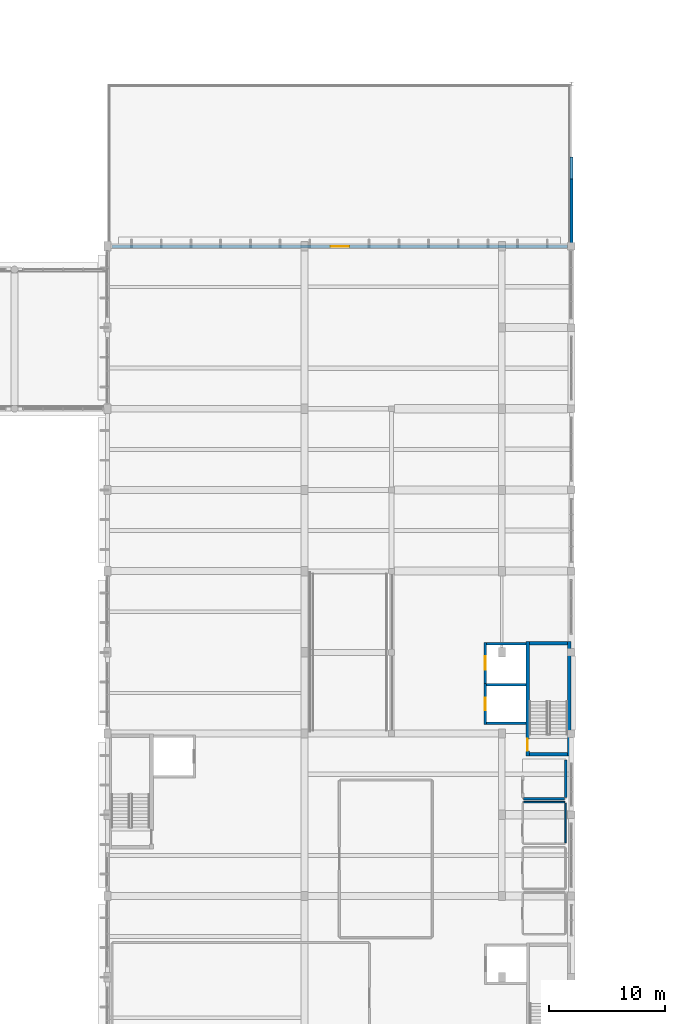
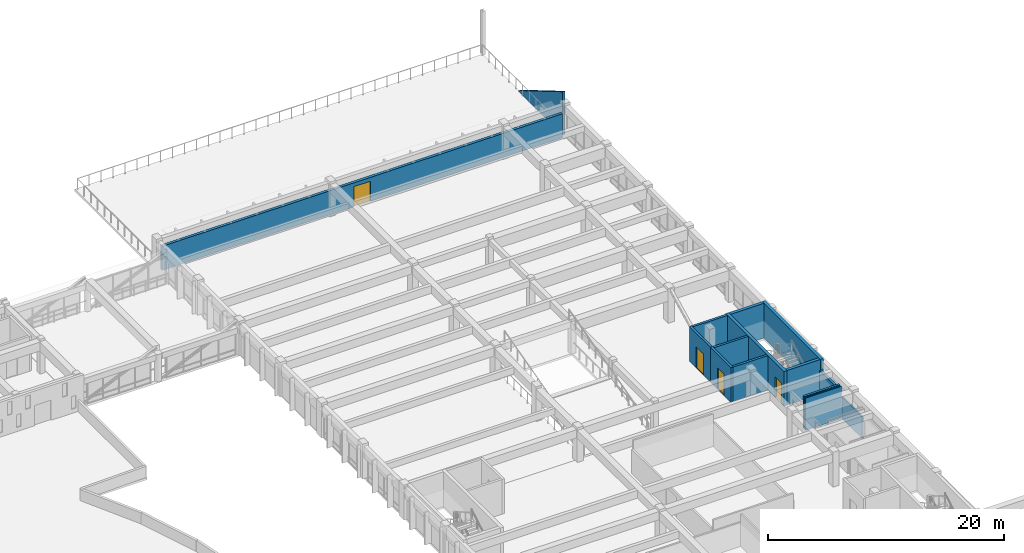
# One storey, part 61 of 77: 15 walls, 4 doors, 4 openings.
"""IFC4 building model written with IfcOpenShell, lengths in metres."""

from ifc_helpers import new_model, si_unit, direction, frame, frame_2d, origin, place, context, subcontext, project, spatial, polyline, rectangle, outline, extrude, material, layer, layer_set, type_object, element, fill, save


model = new_model("IFC4")

# Units and contexts
model_context = context("Model", 3, precision=1e-05, world=origin(), true_north=direction((0.0, 1.0)))
body_context = subcontext(model_context, "Body", "Model", "MODEL_VIEW")
ifc_project = project(units=[si_unit("LENGTHUNIT", "METRE"), si_unit("AREAUNIT", "SQUARE_METRE"), si_unit("VOLUMEUNIT", "CUBIC_METRE"), si_unit("PLANEANGLEUNIT", "RADIAN"), si_unit("MASSUNIT", "GRAM", prefix="KILO")], contexts=[model_context])

# Site, building, storey
site_placement = place(None, origin())
site = spatial("IfcSite", under=ifc_project, at=site_placement, CompositionType="ELEMENT")
building_placement = place(site_placement, origin())
building = spatial("IfcBuilding", under=site, at=building_placement, Name="Larkveld Mobility Hub", CompositionType="ELEMENT")
storey_placement = place(building_placement, frame((0.0, 0.0, 12.0)))
storey = spatial("IfcBuildingStorey", under=building, at=storey_placement, Name="L03", CompositionType="ELEMENT", Elevation=12.0)

# Wall
ifc_material_1 = material(Name="Precast concrete C50/60", Category="concrete")
ifc_layer_1 = layer(ifc_material_1, 0.239990234375, Name="Precast concrete C50/60", Category="concrete")
ifc_layer_set_1 = layer_set([ifc_layer_1], Name="Precast concrete C50/60")
wall_type_1 = type_object("IfcWallType", Name="WL-EXT-240", PredefinedType="SOLIDWALL", material=ifc_layer_set_1)
wall_1_placement = place(storey_placement, frame((152.0, 98.219970703125, 0.0), z_axis=(0.0, 0.0, 1.0), x_axis=(0.0, 1.0, 0.0)))
element("IfcWall", 1, at=wall_1_placement, inside=storey, type_object=wall_type_1, Name="Sawtooth West Gable Cheek Wall B6", PredefinedType="SOLIDWALL", context=body_context, shape_type="SweptSolid", body=[
    extrude(outline(polyline([(0.0, 0.0), (7.467041015625, 0.0), (7.467041015625, 0.080078125), (0.0, 4.47998046875), (0.0, 0.0)])), frame((0.0, 0.1201171875, 0.0), z_axis=(0.0, -1.0, 0.0), x_axis=(1.0, 0.0, 0.0)), (0.0, 0.0, 1.0), 0.239990234375),
])

# Wall, opening, door
ifc_layer_2 = layer(ifc_material_1, 0.27001953125, Name="Precast concrete C50/60", Category="concrete")
ifc_layer_set_2 = layer_set([ifc_layer_2], Name="Precast concrete C50/60")
wall_type_2 = type_object("IfcWallType", Name="WL-EXT-270", PredefinedType="SOLIDWALL", material=ifc_layer_set_2)
wall_2_placement = place(storey_placement, frame((151.6650390625, 98.0, 0.0), z_axis=(0.0, 0.0, 1.0), x_axis=(-1.0, 0.0, 0.0)))
wall_2 = element("IfcWall", 2, at=wall_2_placement, inside=storey, type_object=wall_type_2, Name="Stepped North Terrace Wall L03-0236", PredefinedType="SOLIDWALL", context=body_context, shape_type="SweptSolid", body=[
    extrude(rectangle(XDim=39.255126953125, YDim=0.27001953125, at=frame_2d((19.62744140625, 0.0))), origin(), (0.0, 0.0, 1.0), 2.4951171875),
])
opening_1_placement = place(wall_2_placement, frame((18.826904296875, 0.0, 0.0)))
opening_1 = element("IfcOpeningElement", 3, at=opening_1_placement, cuts=wall_2, Name="Opening ED07", PredefinedType="OPENING", context=body_context, shape_type="SweptSolid", body=[
    extrude(rectangle(XDim=1.60009765625, YDim=2.10009765625, at=frame_2d((0.800048828125, 1.050048828125))), frame((0.0, 0.14501953125, 0.0), z_axis=(0.0, -1.0, 0.0), x_axis=(1.0, 0.0, 0.0)), (0.0, 0.0, 1.0), 0.2900390625),
])
ifc_material_2 = material(Name="Anodised aluminium glazed terrace door", Category="aluminium")
door_type_1 = type_object("IfcDoorType", Name="DR-EXT-TER16", OperationType="DOUBLE_DOOR_SINGLE_SWING", PredefinedType="DOOR", material=ifc_material_2)
door_1_placement = place(opening_1_placement, origin())
door_1 = element("IfcDoor", 4, at=door_1_placement, inside=storey, type_object=door_type_1, Name="North Stepped Terrace Door L03 EDR-L03-026", OperationType="DOUBLE_DOOR_SINGLE_SWING", OverallHeight=2.10009765625, OverallWidth=1.60009765625, PredefinedType="DOOR", context=body_context, shape_type="SweptSolid", body=[
    extrude(rectangle(XDim=1.60009765625, YDim=2.10009765625, at=frame_2d((0.800048828125, 1.050048828125))), frame((0.0, 0.02490234375, 0.0), z_axis=(0.0, -1.0, 0.0), x_axis=(1.0, 0.0, 0.0)), (0.0, 0.0, 1.0), 0.050048828125),
])
fill(opening_1, door_1)

# Walls
ifc_material_3 = material(Name="Concrete blockwork masonry 14 MPa", Category="masonry")
ifc_layer_3 = layer(ifc_material_3, 0.1201171875, Name="Concrete blockwork masonry 14 MPa", Category="masonry")
ifc_layer_set_3 = layer_set([ifc_layer_3], Name="Concrete blockwork masonry 14 MPa")
wall_type_3 = type_object("IfcWallType", Name="WL-PRT-120", PredefinedType="PARTITIONING", material=ifc_layer_set_3)
wall_3_placement = place(storey_placement, frame((147.8798828125, 50.093994140625, 0.0), z_axis=(0.0, 0.0, 1.0), x_axis=(1.0, 0.0, 0.0)))
element("IfcWall", 5, at=wall_3_placement, inside=storey, type_object=wall_type_3, Name="Accessible Unisex Toilet Partition 0168", PredefinedType="PARTITIONING", context=body_context, shape_type="SweptSolid", body=[
    extrude(rectangle(XDim=3.5341796875, YDim=0.1201171875, at=frame_2d((1.76708984375, 0.0))), origin(), (0.0, 0.0, 1.0), 3.344970703125),
])
wall_4_placement = place(storey_placement, frame((151.493896484375, 46.580078125, 0.0), z_axis=(0.0, 0.0, 1.0), x_axis=(0.0, 1.0, 0.0)))
element("IfcWall", 6, at=wall_4_placement, inside=storey, type_object=wall_type_3, Name="Accessible Unisex Toilet Partition 0170", PredefinedType="PARTITIONING", context=body_context, shape_type="SweptSolid", body=[
    extrude(rectangle(XDim=3.433837890625, YDim=0.1201171875, at=frame_2d((1.716796875, 0.0))), origin(), (0.0, 0.0, 1.0), 2.2451171875),
])
ifc_layer_4 = layer(ifc_material_3, 0.2099609375, Name="Concrete blockwork masonry 14 MPa", Category="masonry")
ifc_layer_set_4 = layer_set([ifc_layer_4], Name="Concrete blockwork masonry 14 MPa")
wall_type_4 = type_object("IfcWallType", Name="WL-PRT-210", PredefinedType="PARTITIONING", material=ifc_layer_set_4)
wall_5_placement = place(storey_placement, frame((147.8798828125, 50.39990234375, 0.0), z_axis=(0.0, 0.0, 1.0), x_axis=(1.0, 0.0, 0.0)))
element("IfcWall", 7, at=wall_5_placement, inside=storey, type_object=wall_type_4, Name="Cleaners Store Room Partition 0171", PredefinedType="PARTITIONING", context=body_context, shape_type="SweptSolid", body=[
    extrude(rectangle(XDim=3.5341796875, YDim=0.2099609375, at=frame_2d((1.76708984375, 0.0))), origin(), (0.0, 0.0, 1.0), 3.344970703125),
])
wall_6_placement = place(storey_placement, frame((151.493896484375, 50.47998046875, 0.0), z_axis=(0.0, 0.0, 1.0), x_axis=(0.0, 1.0, 0.0)))
element("IfcWall", 8, at=wall_6_placement, inside=storey, type_object=wall_type_4, Name="Cleaners Store Room Partition 0173", PredefinedType="PARTITIONING", context=body_context, shape_type="SweptSolid", body=[
    extrude(rectangle(XDim=3.234130859375, YDim=0.2099609375, at=frame_2d((1.6171875, 0.0))), origin(), (0.0, 0.0, 1.0), 2.7548828125),
])

# Wall, opening, door
ifc_material_4 = material(Name="Concrete C40/50", Category="concrete")
ifc_layer_5 = layer(ifc_material_4, 0.219970703125, Name="Concrete C40/50", Category="concrete")
ifc_layer_set_5 = layer_set([ifc_layer_5], Name="Concrete C40/50")
wall_type_5 = type_object("IfcWallType", Name="WL-SHF-220", PredefinedType="SHEAR", material=ifc_layer_set_5)
wall_7_placement = place(storey_placement, frame((144.570068359375, 60.300048828125, 0.0), z_axis=(0.0, 0.0, 1.0), x_axis=(0.0, 1.0, 0.0)))
wall_7 = element("IfcWall", 9, at=wall_7_placement, inside=storey, type_object=wall_type_5, Name="Lift FL2 Shaft Wall L03-W", PredefinedType="SHEAR", context=body_context, shape_type="SweptSolid", body=[
    extrude(rectangle(XDim=3.570068359375, YDim=0.219970703125, at=frame_2d((1.78515625, 0.0))), origin(), (0.0, 0.0, 1.0), 3.60009765625),
])
opening_2_placement = place(wall_7_placement, frame((1.18505859375, 0.0, 0.0)))
opening_2 = element("IfcOpeningElement", 10, at=opening_2_placement, cuts=wall_7, Name="Opening LD02", PredefinedType="OPENING", context=body_context, shape_type="SweptSolid", body=[
    extrude(rectangle(XDim=1.199951171875, YDim=2.199951171875, at=frame_2d((0.60009765625, 1.10009765625))), frame((0.0, 0.1201171875, 0.0), z_axis=(0.0, -1.0, 0.0), x_axis=(1.0, 0.0, 0.0)), (0.0, 0.0, 1.0), 0.239990234375),
])
ifc_material_5 = material(Name="Brushed stainless Steel S355JR sliding landing door", Category="steel")
door_type_2 = type_object("IfcDoorType", Name="DR-LD-120", OperationType="DOUBLE_DOOR_SLIDING", PredefinedType="DOOR", material=ifc_material_5)
door_2_placement = place(opening_2_placement, origin())
door_2 = element("IfcDoor", 11, at=door_2_placement, inside=storey, type_object=door_type_2, Name="Lift landing door FL2-L03", OperationType="DOUBLE_DOOR_SLIDING", OverallHeight=2.199951171875, OverallWidth=1.199951171875, PredefinedType="DOOR", context=body_context, shape_type="SweptSolid", body=[
    extrude(rectangle(XDim=1.199951171875, YDim=2.199951171875, at=frame_2d((0.60009765625, 1.10009765625))), frame((0.0, 0.02490234375, 0.0), z_axis=(0.0, -1.0, 0.0), x_axis=(1.0, 0.0, 0.0)), (0.0, 0.0, 1.0), 0.050048828125),
])
fill(opening_2, door_2)

# Wall
wall_8_placement = place(storey_placement, frame((144.679931640625, 63.760009765625, 0.0), z_axis=(0.0, 0.0, 1.0), x_axis=(1.0, 0.0, 0.0)))
element("IfcWall", 12, at=wall_8_placement, inside=storey, type_object=wall_type_5, Name="Lift FL2 Shaft Wall L03-N", PredefinedType="SHEAR", context=body_context, shape_type="SweptSolid", body=[
    extrude(rectangle(XDim=3.400146484375, YDim=0.219970703125, at=frame_2d((1.7001953125, 0.0))), origin(), (0.0, 0.0, 1.0), 3.60009765625),
])

# Wall, opening, door
wall_9_placement = place(storey_placement, frame((144.570068359375, 56.780029296875, 0.0), z_axis=(0.0, 0.0, 1.0), x_axis=(0.0, 1.0, 0.0)))
wall_9 = element("IfcWall", 13, at=wall_9_placement, inside=storey, type_object=wall_type_5, Name="Lift PL1 Shaft Wall L03-W", PredefinedType="SHEAR", context=body_context, shape_type="SweptSolid", body=[
    extrude(rectangle(XDim=3.52001953125, YDim=0.219970703125, at=frame_2d((1.760009765625, 0.0))), origin(), (0.0, 0.0, 1.0), 3.60009765625),
])
opening_3_placement = place(wall_9_placement, frame((1.2099609375, 0.0, 0.0)))
opening_3 = element("IfcOpeningElement", 14, at=opening_3_placement, cuts=wall_9, Name="Opening LD01", PredefinedType="OPENING", context=body_context, shape_type="SweptSolid", body=[
    extrude(rectangle(XDim=1.10009765625, YDim=2.199951171875, at=frame_2d((0.550048828125, 1.10009765625))), frame((0.0, 0.1201171875, 0.0), z_axis=(0.0, -1.0, 0.0), x_axis=(1.0, 0.0, 0.0)), (0.0, 0.0, 1.0), 0.239990234375),
])
door_type_3 = type_object("IfcDoorType", Name="DR-LD-110", OperationType="DOUBLE_DOOR_SLIDING", PredefinedType="DOOR", material=ifc_material_5)
door_3_placement = place(opening_3_placement, origin())
door_3 = element("IfcDoor", 15, at=door_3_placement, inside=storey, type_object=door_type_3, Name="Lift landing door PL1-L03", OperationType="DOUBLE_DOOR_SLIDING", OverallHeight=2.199951171875, OverallWidth=1.10009765625, PredefinedType="DOOR", context=body_context, shape_type="SweptSolid", body=[
    extrude(rectangle(XDim=1.10009765625, YDim=2.199951171875, at=frame_2d((0.550048828125, 1.10009765625))), frame((0.0, 0.02490234375, 0.0), z_axis=(0.0, -1.0, 0.0), x_axis=(1.0, 0.0, 0.0)), (0.0, 0.0, 1.0), 0.050048828125),
])
fill(opening_3, door_3)

# Walls
for number, where, z_axis, x_axis, name in (
    (16, (148.080078125, 56.889892578125, 0.0), (0.0, 0.0, 1.0), (-1.0, 0.0, 0.0), "Lift PL1 Shaft Wall L03-S"),
    (17, (144.679931640625, 60.18994140625, 0.0), (0.0, 0.0, 1.0), (1.0, 0.0, 0.0), "Lift PL1 Shaft Wall L03-N"),
):
    element("IfcWall", number, at=place(storey_placement, frame(where, z_axis=z_axis, x_axis=x_axis)), inside=storey, type_object=wall_type_5, Name=name, PredefinedType="SHEAR", context=body_context, shape_type="SweptSolid", body=[
        extrude(rectangle(XDim=3.400146484375, YDim=0.219970703125, at=frame_2d((1.7001953125, 0.0))), origin(), (0.0, 0.0, 1.0), 3.60009765625),
    ])

# Wall, opening, door
ifc_layer_6 = layer(ifc_material_4, 0.300048828125, Name="Concrete C40/50", Category="concrete")
ifc_layer_set_6 = layer_set([ifc_layer_6], Name="Concrete C40/50")
wall_type_6 = type_object("IfcWallType", Name="WL-SHR-02", PredefinedType="SHEAR", material=ifc_layer_set_6)
wall_10_placement = place(storey_placement, frame((148.22998046875, 54.050048828125, 0.0), z_axis=(0.0, 0.0, 1.0), x_axis=(0.0, 1.0, 0.0)))
wall_10 = element("IfcWall", 18, at=wall_10_placement, inside=storey, type_object=wall_type_6, Name="Core C2 Stair Shear Wall L03-W", PredefinedType="SHEAR", context=body_context, shape_type="SweptSolid", body=[
    extrude(rectangle(XDim=9.89990234375, YDim=0.300048828125, at=frame_2d((4.949951171875, 0.0))), origin(), (0.0, 0.0, 1.0), 3.60009765625),
])
opening_4_placement = place(wall_10_placement, frame((0.449951171875, 0.0, 0.0)))
opening_4 = element("IfcOpeningElement", 19, at=opening_4_placement, cuts=wall_10, Name="Opening DF02", PredefinedType="OPENING", context=body_context, shape_type="SweptSolid", body=[
    extrude(rectangle(XDim=1.050048828125, YDim=2.14990234375, at=frame_2d((0.52490234375, 1.074951171875))), frame((0.0, 0.16015625, 0.0), z_axis=(0.0, -1.0, 0.0), x_axis=(1.0, 0.0, 0.0)), (0.0, 0.0, 1.0), 0.320068359375),
])
ifc_material_6 = material(Name="Pressed Steel S355JR fire door assembly", Category="steel")
door_type_4 = type_object("IfcDoorType", Name="DR-FD60", OperationType="NOTDEFINED", PredefinedType="DOOR", material=ifc_material_6)
door_4_placement = place(opening_4_placement, origin())
door_4 = element("IfcDoor", 20, at=door_4_placement, inside=storey, type_object=door_type_4, Name="Stair ST2 Fire Door L03", OperationType="SINGLE_SWING_RIGHT", OverallHeight=2.14990234375, OverallWidth=1.050048828125, PredefinedType="DOOR", context=body_context, shape_type="SweptSolid", body=[
    extrude(rectangle(XDim=1.050048828125, YDim=2.14990234375, at=frame_2d((0.52490234375, 1.074951171875))), frame((0.0, 0.02490234375, 0.0), z_axis=(0.0, -1.0, 0.0), x_axis=(1.0, 0.0, 0.0)), (0.0, 0.0, 1.0), 0.050048828125),
])
fill(opening_4, door_4)

# Walls
wall_11_placement = place(storey_placement, frame((151.800048828125, 63.949951171875, 0.0), z_axis=(0.0, 0.0, 1.0), x_axis=(0.0, -1.0, 0.0)))
element("IfcWall", 21, at=wall_11_placement, inside=storey, type_object=wall_type_6, Name="Core C2 Stair Shear Wall L03-E", PredefinedType="SHEAR", context=body_context, shape_type="SweptSolid", body=[
    extrude(rectangle(XDim=9.89990234375, YDim=0.300048828125, at=frame_2d((4.949951171875, 0.0))), origin(), (0.0, 0.0, 1.0), 3.60009765625),
])
for number, where, z_axis, x_axis, name in (
    (22, (151.64990234375, 54.199951171875, 0.0), (0.0, 0.0, 1.0), (-1.0, 0.0, 0.0), "Core C2 Stair Shear Wall L03-S"),
    (23, (148.3798828125, 63.800048828125, 0.0), (0.0, 0.0, 1.0), (1.0, 0.0, 0.0), "Core C2 Stair Shear Wall L03-N"),
):
    element("IfcWall", number, at=place(storey_placement, frame(where, z_axis=z_axis, x_axis=x_axis)), inside=storey, type_object=wall_type_6, Name=name, PredefinedType="SHEAR", context=body_context, shape_type="SweptSolid", body=[
        extrude(rectangle(XDim=3.27001953125, YDim=0.300048828125, at=frame_2d((1.635009765625, 0.0))), origin(), (0.0, 0.0, 1.0), 3.60009765625),
    ])

save(model, "model.ifc")
